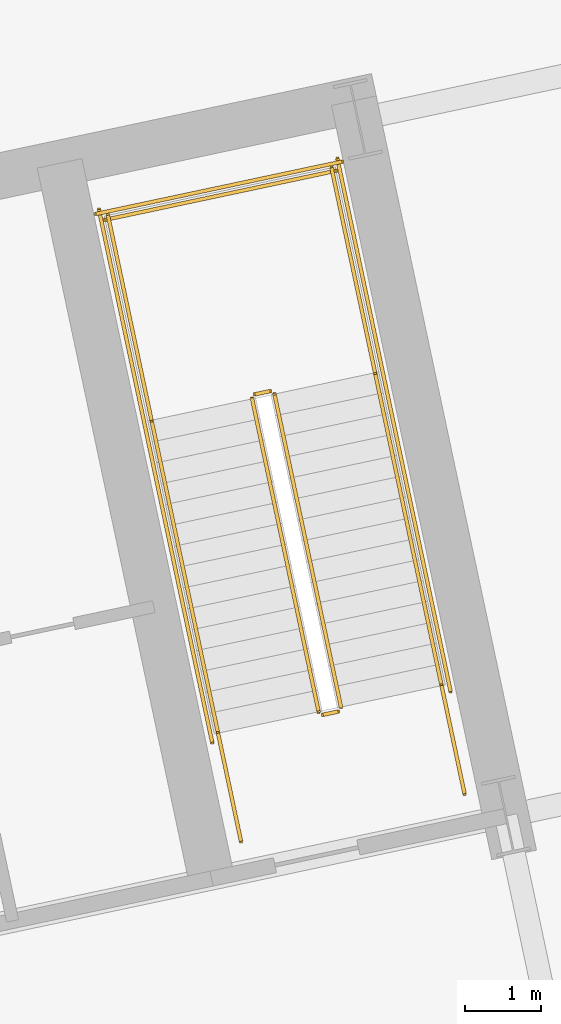
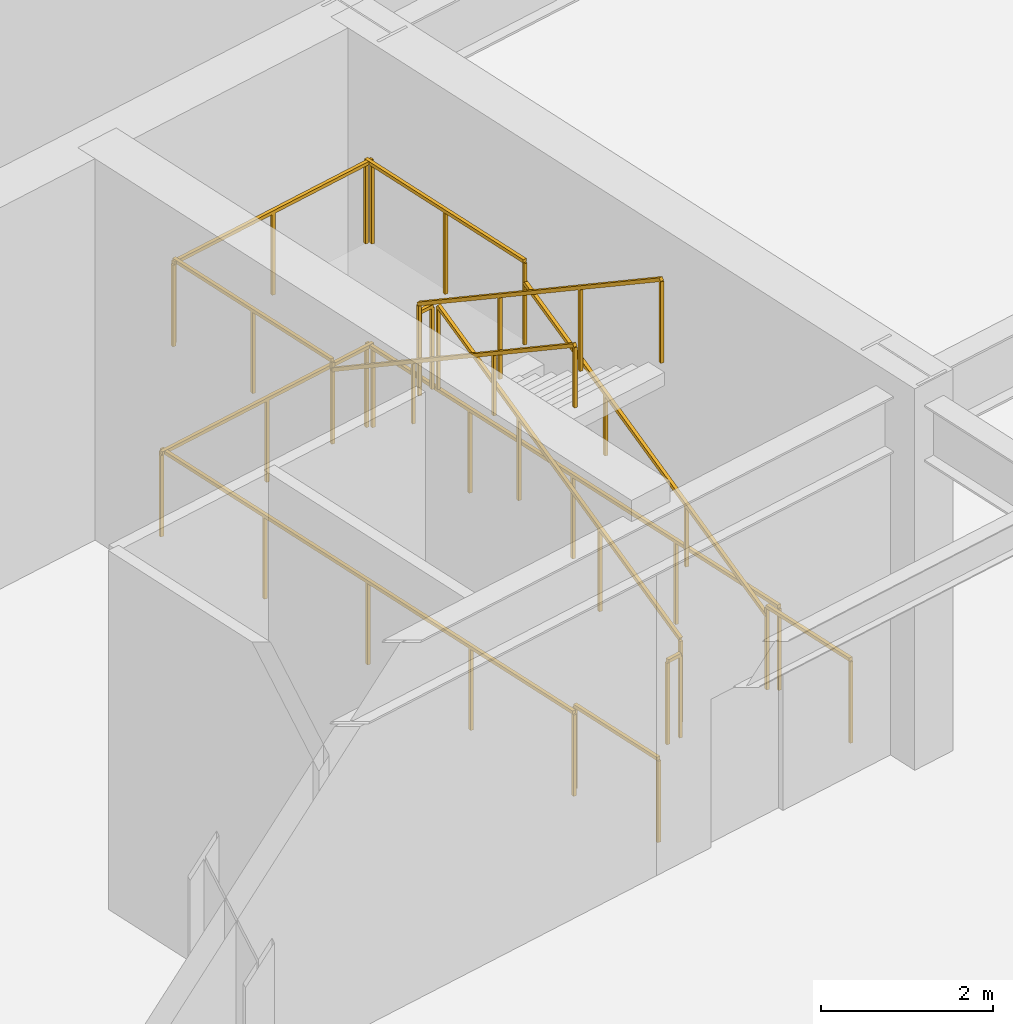
# One storey, part 16 of 16: 14 railings.
"""IFC4 building model written with IfcOpenShell, lengths in metres."""

from ifc_helpers import new_model, si_unit, direction, frame, origin, origin_2d, place, context, subcontext, project, spatial, rectangle, extrude, material, type_object, element, save


model = new_model("IFC4")

# Units and contexts
model_context = context("Model", 3, precision=1e-05, world=origin(), true_north=direction((0.0, 1.0)))
body_context = subcontext(model_context, "Body", "Model", "MODEL_VIEW")
ifc_project = project(units=[si_unit("LENGTHUNIT", "METRE"), si_unit("AREAUNIT", "SQUARE_METRE"), si_unit("VOLUMEUNIT", "CUBIC_METRE"), si_unit("PLANEANGLEUNIT", "RADIAN"), si_unit("MASSUNIT", "GRAM", prefix="KILO")], contexts=[model_context])

# Site, building, storey
site_placement = place(None, origin())
site = spatial("IfcSite", under=ifc_project, at=site_placement, CompositionType="ELEMENT")
building_placement = place(site_placement, origin())
building = spatial("IfcBuilding", under=site, at=building_placement, Name="Haevon Station Towers", CompositionType="ELEMENT")
storey_placement = place(building_placement, frame((0.0, 0.0, -5.39990234375)))
storey = spatial("IfcBuildingStorey", under=building, at=storey_placement, Name="B01", CompositionType="ELEMENT", Elevation=-5.39990234375)

# Railings
ifc_material = material(Name="Steel S355", Category="steel")
railing_type_1 = type_object("IfcRailingType", Name="GRD-STR1200", PredefinedType="GUARDRAIL", material=ifc_material)
railing_1_placement = place(storey_placement, frame((117.128662109375, 43.23974609375, 0.168701171875)))
element("IfcRailing", 1, at=railing_1_placement, inside=storey, type_object=railing_type_1, Name="B01 ST4 Stair Guard 1", PredefinedType="GUARDRAIL", context=body_context, shape_type="SweptSolid", body=[
    extrude(rectangle(XDim=0.048095703125, YDim=0.048095703125, at=origin_2d()), frame((0.0, 0.0, 1.17578125), z_axis=(-0.1780862493, 0.837757147603, 0.516186254612), x_axis=(-0.978143927149, -0.207928972925, 0.0)), (0.0, 0.0, 1.0), 4.90380859375),
    extrude(rectangle(XDim=0.0419921875, YDim=0.0419921875, at=origin_2d()), origin(), (0.0, 0.0, 1.0), 1.15185546875),
    extrude(rectangle(XDim=0.0419921875, YDim=0.0419921875, at=origin_2d()), frame((-0.291015625, 1.369384765625, 0.84375)), (0.0, 0.0, 1.0), 1.15185546875),
    extrude(rectangle(XDim=0.0419921875, YDim=0.0419921875, at=origin_2d()), frame((-0.582275390625, 2.73876953125, 1.6875)), (0.0, 0.0, 1.0), 1.15185546875),
    extrude(rectangle(XDim=0.0419921875, YDim=0.0419921875, at=origin_2d()), frame((-0.873291015625, 4.108154296875, 2.53125)), (0.0, 0.0, 1.0), 1.15185546875),
])
railing_2_placement = place(storey_placement, frame((116.196044921875, 47.386474609375, 2.699951171875)))
element("IfcRailing", 2, at=railing_2_placement, inside=storey, type_object=railing_type_1, Name="B01 ST4 Stair Guard 2", PredefinedType="GUARDRAIL", context=body_context, shape_type="SweptSolid", body=[
    extrude(rectangle(XDim=0.048095703125, YDim=0.048095703125, at=origin_2d()), frame((0.0, 0.0, 1.17578125), z_axis=(-0.978211583308, -0.207610448392, 0.0), x_axis=(0.207610448392, -0.978211583308, 0.0)), (0.0, 0.0, 1.0), 0.199951171875),
    extrude(rectangle(XDim=0.0419921875, YDim=0.0419921875, at=origin_2d()), origin(), (0.0, 0.0, 1.0), 1.15185546875),
    extrude(rectangle(XDim=0.0419921875, YDim=0.0419921875, at=origin_2d()), frame((-0.195556640625, -0.04150390625, 0.0)), (0.0, 0.0, 1.0), 1.15185546875),
])
for number, where, name in (
    (3, (117.575927734375, 47.628662109375, 2.699951171875), "B01 ST4 Stair Guard 3"),
    (4, (114.641357421875, 47.0048828125, 2.699951171875), "B01 ST4 Stair Guard 4"),
):
    element("IfcRailing", number, at=place(storey_placement, frame(where)), inside=storey, type_object=railing_type_1, Name=name, PredefinedType="GUARDRAIL", context=body_context, shape_type="SweptSolid", body=[
        extrude(rectangle(XDim=0.048095703125, YDim=0.048095703125, at=origin_2d()), frame((0.0, 0.0, 1.17578125), z_axis=(-0.207916090984, 0.978146665439, 0.0), x_axis=(-0.978146665439, -0.207916090984, 0.0)), (0.0, 0.0, 1.0), 2.75),
        extrude(rectangle(XDim=0.0419921875, YDim=0.0419921875, at=origin_2d()), origin(), (0.0, 0.0, 1.0), 1.15185546875),
        extrude(rectangle(XDim=0.0419921875, YDim=0.0419921875, at=origin_2d()), frame((-0.285888671875, 1.344970703125, 0.0)), (0.0, 0.0, 1.0), 1.15185546875),
        extrude(rectangle(XDim=0.0419921875, YDim=0.0419921875, at=origin_2d()), frame((-0.57177734375, 2.68994140625, 0.0)), (0.0, 0.0, 1.0), 1.15185546875),
    ])
railing_3_placement = place(storey_placement, frame((117.0634765625, 50.280029296875, 2.699951171875)))
element("IfcRailing", 5, at=railing_3_placement, inside=storey, type_object=railing_type_1, Name="B01 ST4 Stair Guard 5", PredefinedType="GUARDRAIL", context=body_context, shape_type="SweptSolid", body=[
    extrude(rectangle(XDim=0.048095703125, YDim=0.048095703125, at=origin_2d()), frame((0.0, 0.0, 1.17578125), z_axis=(-0.978146839882, -0.207915270313, 0.0), x_axis=(0.207915270313, -0.978146839882, 0.0)), (0.0, 0.0, 1.0), 3.099853515625),
    extrude(rectangle(XDim=0.0419921875, YDim=0.0419921875, at=origin_2d()), origin(), (0.0, 0.0, 1.0), 1.15185546875),
    extrude(rectangle(XDim=0.0419921875, YDim=0.0419921875, at=origin_2d()), frame((-1.51611328125, -0.322265625, 0.0)), (0.0, 0.0, 1.0), 1.15185546875),
    extrude(rectangle(XDim=0.0419921875, YDim=0.0419921875, at=origin_2d()), frame((-3.0322265625, -0.64453125, 0.0)), (0.0, 0.0, 1.0), 1.15185546875),
])
railing_4_placement = place(storey_placement, frame((115.9619140625, 47.28564453125, 2.86865234375)))
element("IfcRailing", 6, at=railing_4_placement, inside=storey, type_object=railing_type_1, Name="B01 ST4 Stair Guard 6", PredefinedType="GUARDRAIL", context=body_context, shape_type="SweptSolid", body=[
    extrude(rectangle(XDim=0.048095703125, YDim=0.048095703125, at=origin_2d()), frame((0.0, 0.0, 1.17578125), z_axis=(0.178078821748, -0.83777199116, 0.516164725716), x_axis=(0.978146440129, 0.207917150959, 0.0)), (0.0, 0.0, 1.0), 4.904052734375),
    extrude(rectangle(XDim=0.0419921875, YDim=0.0419921875, at=origin_2d()), origin(), (0.0, 0.0, 1.0), 1.15185546875),
    extrude(rectangle(XDim=0.0419921875, YDim=0.0419921875, at=origin_2d()), frame((0.291015625, -1.369384765625, 0.84375)), (0.0, 0.0, 1.0), 1.15185546875),
    extrude(rectangle(XDim=0.0419921875, YDim=0.0419921875, at=origin_2d()), frame((0.582275390625, -2.739013671875, 1.6875)), (0.0, 0.0, 1.0), 1.15185546875),
    extrude(rectangle(XDim=0.0419921875, YDim=0.0419921875, at=origin_2d()), frame((0.873291015625, -4.1083984375, 2.53125)), (0.0, 0.0, 1.0), 1.15185546875),
])
railing_5_placement = place(storey_placement, frame((117.090087890625, 43.180419921875, 0.0)))
element("IfcRailing", 7, at=railing_5_placement, inside=storey, type_object=railing_type_1, Name="B01 ST4 Stair Guard 7", PredefinedType="GUARDRAIL", context=body_context, shape_type="SweptSolid", body=[
    extrude(rectangle(XDim=0.048095703125, YDim=0.048095703125, at=origin_2d()), frame((0.0, 0.0, 1.17578125), z_axis=(-0.978211583308, -0.207610448392, 0.0), x_axis=(0.207610448392, -0.978211583308, 0.0)), (0.0, 0.0, 1.0), 0.199951171875),
    extrude(rectangle(XDim=0.0419921875, YDim=0.0419921875, at=origin_2d()), origin(), (0.0, 0.0, 1.0), 1.15185546875),
    extrude(rectangle(XDim=0.0419921875, YDim=0.0419921875, at=origin_2d()), frame((-0.195556640625, -0.04150390625, 0.0)), (0.0, 0.0, 1.0), 1.15185546875),
])
for number, where, name in (
    (8, (118.75048828125, 42.10205078125, 0.0), "B01 ST4 Stair Guard 8"),
    (9, (115.816162109375, 41.478271484375, 0.0), "B01 ST4 Stair Guard 9"),
):
    element("IfcRailing", number, at=place(storey_placement, frame(where)), inside=storey, type_object=railing_type_1, Name=name, PredefinedType="GUARDRAIL", context=body_context, shape_type="SweptSolid", body=[
        extrude(rectangle(XDim=0.048095703125, YDim=0.048095703125, at=origin_2d()), frame((0.0, 0.0, 1.17578125), z_axis=(-0.207919161079, 0.978146012851, 0.0), x_axis=(-0.978146012851, -0.207919161079, 0.0)), (0.0, 0.0, 1.0), 1.4501953125),
        extrude(rectangle(XDim=0.0419921875, YDim=0.0419921875, at=origin_2d()), origin(), (0.0, 0.0, 1.0), 1.15185546875),
        extrude(rectangle(XDim=0.0419921875, YDim=0.0419921875, at=origin_2d()), frame((-0.301513671875, 1.41845703125, 0.0)), (0.0, 0.0, 1.0), 1.15185546875),
    ])
railing_6_placement = place(storey_placement, frame((118.567626953125, 43.443359375, 0.0)))
element("IfcRailing", 10, at=railing_6_placement, inside=storey, type_object=railing_type_1, Name="B01 ST4 Stair Guard 10", PredefinedType="GUARDRAIL", context=body_context, shape_type="SweptSolid", body=[
    extrude(rectangle(XDim=0.048095703125, YDim=0.048095703125, at=origin_2d()), frame((0.0, 0.0, 1.17578125), z_axis=(-0.207908168386, 0.978148349443, 0.0), x_axis=(-0.978148349443, -0.207908168386, 0.0)), (0.0, 0.0, 1.0), 7.150146484375),
    extrude(rectangle(XDim=0.0419921875, YDim=0.0419921875, at=origin_2d()), origin(), (0.0, 0.0, 1.0), 1.15185546875),
    extrude(rectangle(XDim=0.0419921875, YDim=0.0419921875, at=origin_2d()), frame((-0.37158203125, 1.74853515625, 0.0)), (0.0, 0.0, 1.0), 1.15185546875),
    extrude(rectangle(XDim=0.0419921875, YDim=0.0419921875, at=origin_2d()), frame((-0.7431640625, 3.4970703125, 0.0)), (0.0, 0.0, 1.0), 1.15185546875),
    extrude(rectangle(XDim=0.0419921875, YDim=0.0419921875, at=origin_2d()), frame((-1.114990234375, 5.245361328125, 0.0)), (0.0, 0.0, 1.0), 1.15185546875),
    extrude(rectangle(XDim=0.0419921875, YDim=0.0419921875, at=origin_2d()), frame((-1.486572265625, 6.993896484375, 0.0)), (0.0, 0.0, 1.0), 1.15185546875),
])
railing_7_placement = place(storey_placement, frame((115.4375, 42.778076171875, 0.0)))
element("IfcRailing", 11, at=railing_7_placement, inside=storey, type_object=railing_type_1, Name="B01 ST4 Stair Guard 11", PredefinedType="GUARDRAIL", context=body_context, shape_type="SweptSolid", body=[
    extrude(rectangle(XDim=0.048095703125, YDim=0.048095703125, at=origin_2d()), frame((0.0, 0.0, 1.17578125), z_axis=(-0.207882442208, 0.978153817261, 0.0), x_axis=(-0.978153817261, -0.207882442208, 0.0)), (0.0, 0.0, 1.0), 7.14990234375),
    extrude(rectangle(XDim=0.0419921875, YDim=0.0419921875, at=origin_2d()), origin(), (0.0, 0.0, 1.0), 1.15185546875),
    extrude(rectangle(XDim=0.0419921875, YDim=0.0419921875, at=origin_2d()), frame((-0.37158203125, 1.74853515625, 0.0)), (0.0, 0.0, 1.0), 1.15185546875),
    extrude(rectangle(XDim=0.0419921875, YDim=0.0419921875, at=origin_2d()), frame((-0.7431640625, 3.496826171875, 0.0)), (0.0, 0.0, 1.0), 1.15185546875),
    extrude(rectangle(XDim=0.0419921875, YDim=0.0419921875, at=origin_2d()), frame((-1.11474609375, 5.2451171875, 0.0)), (0.0, 0.0, 1.0), 1.15185546875),
    extrude(rectangle(XDim=0.0419921875, YDim=0.0419921875, at=origin_2d()), frame((-1.486328125, 6.99365234375, 0.0)), (0.0, 0.0, 1.0), 1.15185546875),
])
railing_8_placement = place(storey_placement, frame((117.140380859375, 50.398681640625, 0.0)))
element("IfcRailing", 12, at=railing_8_placement, inside=storey, type_object=railing_type_1, Name="B01 ST4 Stair Guard 12", PredefinedType="GUARDRAIL", context=body_context, shape_type="SweptSolid", body=[
    extrude(rectangle(XDim=0.048095703125, YDim=0.048095703125, at=origin_2d()), frame((0.0, 0.0, 1.17578125), z_axis=(-0.978135717418, -0.207967589567, 0.0), x_axis=(0.207967589567, -0.978135717418, 0.0)), (0.0, 0.0, 1.0), 3.300048828125),
    extrude(rectangle(XDim=0.0419921875, YDim=0.0419921875, at=origin_2d()), origin(), (0.0, 0.0, 1.0), 1.15185546875),
    extrude(rectangle(XDim=0.0419921875, YDim=0.0419921875, at=origin_2d()), frame((-1.61376953125, -0.34326171875, 0.0)), (0.0, 0.0, 1.0), 1.15185546875),
    extrude(rectangle(XDim=0.0419921875, YDim=0.0419921875, at=origin_2d()), frame((-3.227783203125, -0.686279296875, 0.0)), (0.0, 0.0, 1.0), 1.15185546875),
])
railing_type_2 = type_object("IfcRailingType", Name="HND-STR900", PredefinedType="HANDRAIL", material=ifc_material)
railing_9_placement = place(storey_placement, frame((118.448974609375, 43.5205078125, 0.168701171875)))
element("IfcRailing", 13, at=railing_9_placement, inside=storey, type_object=railing_type_2, Name="B01 ST4 Stair Handrail 1", PredefinedType="HANDRAIL", context=body_context, shape_type="SweptSolid", body=[
    extrude(rectangle(XDim=0.048095703125, YDim=0.048095703125, at=origin_2d()), frame((0.0, 0.0, 0.8759765625), z_axis=(-0.17803804114, 0.83776457446, 0.516190830689), x_axis=(-0.978155748334, -0.207873355681, 0.0)), (0.0, 0.0, 1.0), 4.90380859375),
    extrude(rectangle(XDim=0.0419921875, YDim=0.0419921875, at=origin_2d()), origin(), (0.0, 0.0, 1.0), 0.851806640625),
    extrude(rectangle(XDim=0.0419921875, YDim=0.0419921875, at=origin_2d()), frame((-0.291015625, 1.369384765625, 0.84375)), (0.0, 0.0, 1.0), 0.851806640625),
    extrude(rectangle(XDim=0.0419921875, YDim=0.0419921875, at=origin_2d()), frame((-0.58203125, 2.73876953125, 1.6875)), (0.0, 0.0, 1.0), 0.851806640625),
    extrude(rectangle(XDim=0.0419921875, YDim=0.0419921875, at=origin_2d()), frame((-0.873046875, 4.108154296875, 2.53125)), (0.0, 0.0, 1.0), 0.851806640625),
])
railing_10_placement = place(storey_placement, frame((114.641357421875, 47.0048828125, 2.86865234375)))
element("IfcRailing", 14, at=railing_10_placement, inside=storey, type_object=railing_type_2, Name="B01 ST4 Stair Handrail 2", PredefinedType="HANDRAIL", context=body_context, shape_type="SweptSolid", body=[
    extrude(rectangle(XDim=0.048095703125, YDim=0.048095703125, at=origin_2d()), frame((0.0, 0.0, 0.8759765625), z_axis=(0.1780862493, -0.837757147603, 0.516186254612), x_axis=(0.978143927149, 0.207928972925, 0.0)), (0.0, 0.0, 1.0), 4.90380859375),
    extrude(rectangle(XDim=0.0419921875, YDim=0.0419921875, at=origin_2d()), origin(), (0.0, 0.0, 1.0), 0.851806640625),
    extrude(rectangle(XDim=0.0419921875, YDim=0.0419921875, at=origin_2d()), frame((0.291015625, -1.369384765625, 0.84375)), (0.0, 0.0, 1.0), 0.851806640625),
    extrude(rectangle(XDim=0.0419921875, YDim=0.0419921875, at=origin_2d()), frame((0.582275390625, -2.73876953125, 1.6875)), (0.0, 0.0, 1.0), 0.851806640625),
    extrude(rectangle(XDim=0.0419921875, YDim=0.0419921875, at=origin_2d()), frame((0.873291015625, -4.108154296875, 2.53125)), (0.0, 0.0, 1.0), 0.851806640625),
])

save(model, "model.ifc")
